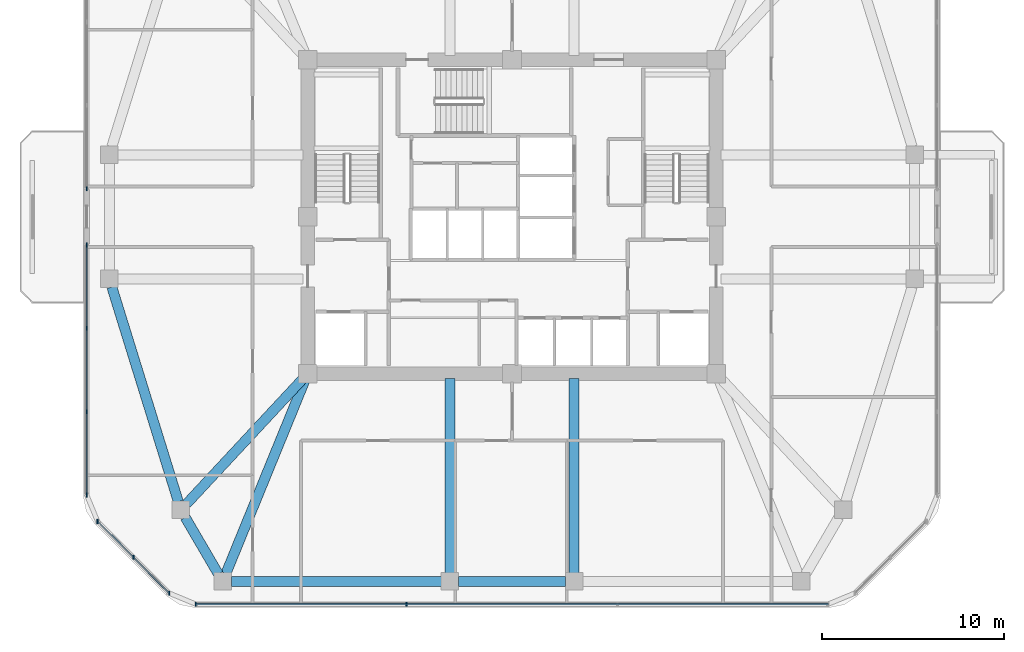
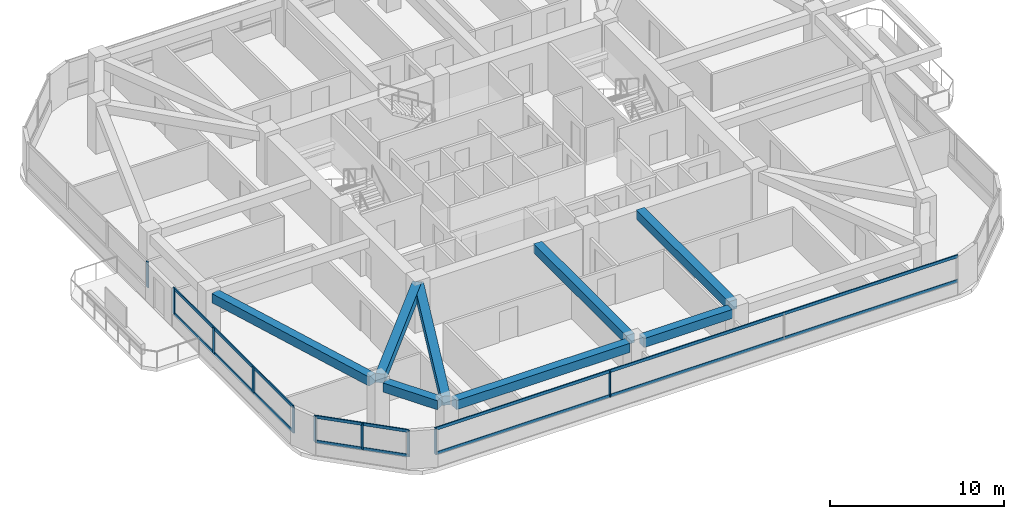
# One storey, part 2 of 13: 16 members, 8 beams, 4 elements without a shape of their own.
"""IFC4 building model written with IfcOpenShell, lengths in metres."""

import ifcopenshell
import ifcopenshell.guid

model = None  # the IFC model being written
_history = None  # IfcOwnerHistory: only IFC2X3 demands one
_inside = {}  # id of a spatial element -> (the spatial element, [elements in it])
_under = {}  # id of a project, library or spatial element -> (it, [spatial elements below it])
_declared = {}  # id of a project -> (the project, [libraries it declares])
_typed = {}  # id of a type object -> (the type object, [elements of that type])
_made_of = {}  # id of a material, layer set ... -> (it, [elements and type objects made of it])


def new_model(schema):
    """Start an empty IFC model of exactly this schema.

    Asked for "IFC4X3", IfcOpenShell would pick the latest addendum, in which some entities
    have other attributes; the version numbers below select the first issue.
    IFC2X3 requires an IfcOwnerHistory on every rooted entity: one is made here for all.
    """
    global model, _history
    if schema == "IFC4X3":
        model = ifcopenshell.file(schema_version=(4, 3, 0, 0))
    else:
        model = ifcopenshell.file(schema=schema)
    _inside.clear()
    _under.clear()
    _declared.clear()
    _typed.clear()
    _made_of.clear()
    _history = None
    if model.schema == "IFC2X3":
        org = make("IfcOrganization", Name="unknown")
        user = make(
            "IfcPersonAndOrganization",
            ThePerson=make("IfcPerson", FamilyName="unknown"),
            TheOrganization=org,
        )
        app = make(
            "IfcApplication",
            ApplicationDeveloper=org,
            Version="unknown",
            ApplicationFullName="unknown",
            ApplicationIdentifier="unknown",
        )
        _history = make(
            "IfcOwnerHistory",
            OwningUser=user,
            OwningApplication=app,
            ChangeAction="ADDED",
            CreationDate=0,
        )
    return model


def make(cls, **values):
    """One entity of the class cls with the attributes given. An attribute that is None is left unset."""
    return model.create_entity(
        cls, **{name: value for name, value in values.items() if value is not None}
    )


def rooted(cls, **values):
    """An entity with a GlobalId (a new one), such as an element, a storey or a relation."""
    return make(cls, GlobalId=ifcopenshell.guid.new(), OwnerHistory=_history, **values)


def si_unit(unit_type, name, prefix=None):
    """IfcSIUnit, for example si_unit("LENGTHUNIT", "METRE", prefix="MILLI")."""
    return make("IfcSIUnit", UnitType=unit_type, Prefix=prefix, Name=name)


def derived_unit(unit_type, elements):
    """IfcDerivedUnit: a product of units, each with its exponent."""
    return make(
        "IfcDerivedUnit",
        Elements=[
            make("IfcDerivedUnitElement", Unit=unit, Exponent=power)
            for unit, power in elements
        ],
        UnitType=unit_type,
    )


def assignment(units):
    """IfcUnitAssignment: the units of a project."""
    return None if units is None else make("IfcUnitAssignment", Units=units)


def point(xyz):
    """IfcCartesianPoint."""
    return None if xyz is None else make("IfcCartesianPoint", Coordinates=xyz)


def direction(xyz):
    """IfcDirection."""
    return None if xyz is None else make("IfcDirection", DirectionRatios=xyz)


def frame(location, z_axis=None, x_axis=None):
    """IfcAxis2Placement3D, a coordinate frame: its origin and axes. An axis left out is left unset."""
    return make(
        "IfcAxis2Placement3D",
        Location=point(location),
        Axis=direction(z_axis),
        RefDirection=direction(x_axis),
    )


def frame_2d(location, x_axis=None):
    """IfcAxis2Placement2D, a coordinate frame in the plane: its origin and x axis."""
    return make(
        "IfcAxis2Placement2D", Location=point(location), RefDirection=direction(x_axis)
    )


def origin():
    """The frame at (0, 0, 0) with its axes left unset."""
    return frame((0.0, 0.0, 0.0))


def origin_2d():
    """The frame at (0, 0) in the plane with its x axis left unset."""
    return frame_2d((0.0, 0.0))


def place(relative_to, where):
    """IfcLocalPlacement: puts the frame where relative to a parent placement (None: the world)."""
    return make(
        "IfcLocalPlacement", PlacementRelTo=relative_to, RelativePlacement=where
    )


def context(
    kind, dimensions, precision=None, world=None, true_north=None, identifier=None
):
    """IfcGeometricRepresentationContext, for example the 3D "Model" context."""
    return make(
        "IfcGeometricRepresentationContext",
        ContextIdentifier=identifier,
        ContextType=kind,
        CoordinateSpaceDimension=dimensions,
        Precision=precision,
        WorldCoordinateSystem=world,
        TrueNorth=true_north,
    )


def subcontext(parent, identifier, kind, view, scale=None):
    """IfcGeometricRepresentationSubContext, for example "Body" below "Model"."""
    return make(
        "IfcGeometricRepresentationSubContext",
        ContextIdentifier=identifier,
        ContextType=kind,
        ParentContext=parent,
        TargetScale=scale,
        TargetView=view,
    )


def project(units=None, contexts=None):
    """IfcProject with its units and contexts."""
    return rooted(
        "IfcProject",
        Name="project",
        RepresentationContexts=contexts,
        UnitsInContext=assignment(units),
    )


def spatial(cls, under=None, at=None, **own):
    """A site, building, storey or space (cls), placed at a placement, below another one or the project."""
    s = rooted(cls, ObjectPlacement=at, **own)
    if under is not None:
        _under.setdefault(under.id(), (under, []))[1].append(s)
    return s


def profile(cls, at=None, kind="AREA", **sizes):
    """A parametric profile (cls). Its sizes go by their IFC names, for example OverallWidth=200.0."""
    return make(cls, ProfileType=kind, Position=at, **sizes)


def rectangle(**sizes):
    """IfcRectangleProfileDef."""
    return profile("IfcRectangleProfileDef", **sizes)


def extrude(swept, where, along, depth):
    """IfcExtrudedAreaSolid: the profile swept, set in the frame where, extruded along a direction by depth."""
    return make(
        "IfcExtrudedAreaSolid",
        SweptArea=swept,
        Position=where,
        ExtrudedDirection=direction(along),
        Depth=depth,
    )


def shape(context_of_items, identifier, shape_type, items):
    """IfcShapeRepresentation: the items that make up one representation, for example the "Body"."""
    return make(
        "IfcShapeRepresentation",
        ContextOfItems=context_of_items,
        RepresentationIdentifier=identifier,
        RepresentationType=shape_type,
        Items=items,
    )


def material(Name=None, Category=None):
    """IfcMaterial."""
    return make("IfcMaterial", Name=Name, Category=Category)


def material_profile(
    of_material, cross_section, Name=None, Category=None, Priority=None
):
    """IfcMaterialProfile: a cross section and its material."""
    return make(
        "IfcMaterialProfile",
        Name=Name,
        Material=of_material,
        Profile=cross_section,
        Priority=Priority,
        Category=Category,
    )


def profile_set(profiles, Name=None, composite=None):
    """IfcMaterialProfileSet."""
    return make(
        "IfcMaterialProfileSet",
        Name=Name,
        MaterialProfiles=profiles,
        CompositeProfile=composite,
    )


def made_of(thing, what):
    """Note that an element or type object is made of a material, layer set ...; save() writes the relation."""
    if what is not None:
        _made_of.setdefault(what.id(), (what, []))[1].append(thing)
    return thing


def type_object(cls, material=None, **own):
    """A type object (cls), such as IfcWallType, which elements share."""
    return made_of(rooted(cls, **own), material)


def element(
    cls,
    number,
    at=None,
    inside=None,
    cuts=None,
    type_object=None,
    material=None,
    context=None,
    identifier="Body",
    shape_type=None,
    held_by="IfcProductDefinitionShape",
    body=None,
    shapes=None,
    **own,
):
    """One element of the class cls, such as IfcWall. Its Tag is "e" and its number.

    at: its placement. inside: the storey or other place that contains it. cuts: it is an
    opening in that element (IfcRelVoidsElement). A single representation is given by context,
    identifier, shape_type and body (its items); several are given by shapes. held_by: the class
    of the entity that holds the representations. save() writes the other relations.
    """
    e = rooted(cls, Tag="e%d" % number, ObjectPlacement=at, **own)
    if body is not None:
        shapes = [shape(context, identifier, shape_type, body)]
    if shapes is not None:
        e.Representation = make(held_by, Representations=shapes)
    if inside is not None:
        _inside.setdefault(inside.id(), (inside, []))[1].append(e)
    if cuts is not None:
        rooted(
            "IfcRelVoidsElement", RelatingBuildingElement=cuts, RelatedOpeningElement=e
        )
    if type_object is not None:
        _typed.setdefault(type_object.id(), (type_object, []))[1].append(e)
    return made_of(e, material)


def aggregate(whole, parts):
    """IfcRelAggregates: a whole, such as a stair, and the parts it consists of."""
    return rooted("IfcRelAggregates", RelatingObject=whole, RelatedObjects=parts)


def save(model, path):
    """Write the relations noted so far, then the file.

    IfcRelAggregates (storeys below a building ...), IfcRelContainedInSpatialStructure (elements
    in a storey), IfcRelDefinesByType, IfcRelAssociatesMaterial and IfcRelDeclares: one each for
    every whole, place, type object, material and project.
    """
    for whole, parts in _under.values():
        aggregate(whole, parts)
    for where, things in _inside.values():
        rooted(
            "IfcRelContainedInSpatialStructure",
            RelatedElements=things,
            RelatingStructure=where,
        )
    for kind, things in _typed.values():
        rooted("IfcRelDefinesByType", RelatedObjects=things, RelatingType=kind)
    for what, things in _made_of.values():
        rooted("IfcRelAssociatesMaterial", RelatedObjects=things, RelatingMaterial=what)
    for by, libraries in _declared.values():
        rooted("IfcRelDeclares", RelatingContext=by, RelatedDefinitions=libraries)
    model.write(path)


model = new_model("IFC4")

# Units and contexts
model_context = context("Model", 3, precision=1e-05, world=origin(), true_north=direction((0.0, 1.0)))
body_context = subcontext(model_context, "Body", "Model", "MODEL_VIEW")
ifc_project = project(units=[si_unit("LENGTHUNIT", "METRE"), si_unit("AREAUNIT", "SQUARE_METRE"), si_unit("VOLUMEUNIT", "CUBIC_METRE"), si_unit("PLANEANGLEUNIT", "RADIAN"), si_unit("MASSUNIT", "GRAM", prefix="KILO"), derived_unit("THERMALTRANSMITTANCEUNIT", [(si_unit("POWERUNIT", "WATT"), 1), (si_unit("LENGTHUNIT", "METRE"), -2), (si_unit("THERMODYNAMICTEMPERATUREUNIT", "KELVIN"), -1)])], contexts=[model_context])

# Site, building, storey
site_placement = place(None, origin())
site = spatial("IfcSite", under=ifc_project, at=site_placement, CompositionType="ELEMENT")
building_placement = place(site_placement, origin())
building = spatial("IfcBuilding", under=site, at=building_placement, Name="Koralith Skygarden Medical Center", CompositionType="ELEMENT")
storey_placement = place(building_placement, frame((0.0, 0.0, 156.419921875)))
storey = spatial("IfcBuildingStorey", under=building, at=storey_placement, Name="L40", CompositionType="ELEMENT", Elevation=156.419921875)

# Curtain wall, members
ifc_material_1 = material(Name="Clear Laminated Glass", Category="glass")
curtain_wall_type = type_object("IfcCurtainWallType", Name="CW-4 Zone 3 Waist High-Wind Curtain Wall", PredefinedType="NOTDEFINED", material=ifc_material_1)
curtain_wall_1_placement = place(storey_placement, origin())
curtain_wall_1 = element("IfcCurtainWall", 1, at=curtain_wall_1_placement, inside=storey, type_object=curtain_wall_type, Name="Curtain Wall CW-L40-S", PredefinedType="NOTDEFINED")
ifc_material_2 = material(Name="Aluminium 6063-T6", Category="aluminium")
ifc_material_profile_1 = material_profile(ifc_material_2, rectangle(XDim=0.076904296875, YDim=0.22998046875, at=origin_2d()), Name="MUL77X230")
ifc_profile_set_1 = profile_set([ifc_material_profile_1], Name="Aluminium 6063-T6")
member_type_1 = type_object("IfcMemberType", Name="CW-4 Extruded Mullion 77x230", PredefinedType="MULLION", material=ifc_profile_set_1)
member_1_placement = place(storey_placement, frame((19.6708984375, 4.679931640625, 0.85009765625), z_axis=(0.0, 0.0, 1.0), x_axis=(1.0, 0.0, 0.0)))
member_1 = element("IfcMember", 2, at=member_1_placement, type_object=member_type_1, Name="CW-L40-S Mullion 1", PredefinedType="MULLION", context=body_context, shape_type="SweptSolid", body=[
    extrude(rectangle(XDim=0.076904296875, YDim=0.22998046875, at=origin_2d()), origin(), (0.0, 0.0, 1.0), 1.820068359375),
])
member_2_placement = place(storey_placement, frame((31.22412109375, 4.679931640625, 0.85009765625), z_axis=(0.0, 0.0, 1.0), x_axis=(1.0, 0.0, 0.0)))
member_2 = element("IfcMember", 3, at=member_2_placement, type_object=member_type_1, Name="CW-L40-S Mullion 2", PredefinedType="MULLION", context=body_context, shape_type="SweptSolid", body=[
    extrude(rectangle(XDim=0.076904296875, YDim=0.22998046875, at=origin_2d()), origin(), (0.0, 0.0, 1.0), 1.820068359375),
])

# Curtain wall, member
curtain_wall_2_placement = place(storey_placement, origin())
curtain_wall_2 = element("IfcCurtainWall", 4, at=curtain_wall_2_placement, inside=storey, type_object=curtain_wall_type, Name="Curtain Wall CW-L40-W-L", PredefinedType="NOTDEFINED")
member_3_placement = place(storey_placement, frame((13.696044921875, 27.43994140625, 0.85009765625), z_axis=(0.0, 0.0, 1.0), x_axis=(1.0, 0.0, 0.0)))
member_3 = element("IfcMember", 5, at=member_3_placement, type_object=member_type_1, Name="CW-L40-W-L Mullion 4", PredefinedType="MULLION", context=body_context, shape_type="SweptSolid", body=[
    extrude(rectangle(XDim=0.076904296875, YDim=0.22998046875, at=origin_2d()), origin(), (0.0, 0.0, 1.0), 1.820068359375),
])
aggregate(curtain_wall_2, [member_3])

# Curtain wall, members
curtain_wall_3_placement = place(storey_placement, origin())
curtain_wall_3 = element("IfcCurtainWall", 6, at=curtain_wall_3_placement, inside=storey, type_object=curtain_wall_type, Name="Curtain Wall CW-L40-W-R", PredefinedType="NOTDEFINED")
member_4_placement = place(storey_placement, frame((13.696044921875, 24.360107421875, 0.85009765625), z_axis=(0.0, 0.0, 1.0), x_axis=(1.0, 0.0, 0.0)))
member_4 = element("IfcMember", 7, at=member_4_placement, type_object=member_type_1, Name="CW-L40-W-R Mullion 1", PredefinedType="MULLION", context=body_context, shape_type="SweptSolid", body=[
    extrude(rectangle(XDim=0.076904296875, YDim=0.22998046875, at=origin_2d()), origin(), (0.0, 0.0, 1.0), 1.820068359375),
])
member_5_placement = place(storey_placement, frame((13.696044921875, 19.7919921875, 0.85009765625), z_axis=(0.0, 0.0, 1.0), x_axis=(1.0, 0.0, 0.0)))
member_5 = element("IfcMember", 8, at=member_5_placement, type_object=member_type_1, Name="CW-L40-W-R Mullion 2", PredefinedType="MULLION", context=body_context, shape_type="SweptSolid", body=[
    extrude(rectangle(XDim=0.076904296875, YDim=0.22998046875, at=origin_2d()), origin(), (0.0, 0.0, 1.0), 1.820068359375),
])
member_6_placement = place(storey_placement, frame((13.696044921875, 15.222900390625, 0.85009765625), z_axis=(0.0, 0.0, 1.0), x_axis=(1.0, 0.0, 0.0)))
member_6 = element("IfcMember", 9, at=member_6_placement, type_object=member_type_1, Name="CW-L40-W-R Mullion 3", PredefinedType="MULLION", context=body_context, shape_type="SweptSolid", body=[
    extrude(rectangle(XDim=0.076904296875, YDim=0.22998046875, at=origin_2d()), origin(), (0.0, 0.0, 1.0), 1.820068359375),
])
member_7_placement = place(storey_placement, frame((13.696044921875, 10.655029296875, 0.85009765625), z_axis=(0.0, 0.0, 1.0), x_axis=(1.0, 0.0, 0.0)))
member_7 = element("IfcMember", 10, at=member_7_placement, type_object=member_type_1, Name="CW-L40-W-R Mullion 4", PredefinedType="MULLION", context=body_context, shape_type="SweptSolid", body=[
    extrude(rectangle(XDim=0.076904296875, YDim=0.22998046875, at=origin_2d()), origin(), (0.0, 0.0, 1.0), 1.820068359375),
])

curtain_wall_4_placement = place(storey_placement, origin())
curtain_wall_4 = element("IfcCurtainWall", 11, at=curtain_wall_4_placement, inside=storey, type_object=curtain_wall_type, Name="Curtain Wall CW-L40-SW", PredefinedType="NOTDEFINED")
member_8_placement = place(storey_placement, frame((14.297119140625, 9.2041015625, 0.85009765625), z_axis=(0.0, 0.0, 1.0), x_axis=(1.0, 0.0, 0.0)))
member_8 = element("IfcMember", 12, at=member_8_placement, type_object=member_type_1, Name="CW-L40-SW Mullion 1", PredefinedType="MULLION", context=body_context, shape_type="SweptSolid", body=[
    extrude(rectangle(XDim=0.076904296875, YDim=0.22998046875, at=origin_2d()), origin(), (0.0, 0.0, 1.0), 1.820068359375),
])
member_9_placement = place(storey_placement, frame((16.258056640625, 7.241943359375, 0.85009765625), z_axis=(0.0, 0.0, 1.0), x_axis=(1.0, 0.0, 0.0)))
member_9 = element("IfcMember", 13, at=member_9_placement, type_object=member_type_1, Name="CW-L40-SW Mullion 2", PredefinedType="MULLION", context=body_context, shape_type="SweptSolid", body=[
    extrude(rectangle(XDim=0.076904296875, YDim=0.22998046875, at=origin_2d()), origin(), (0.0, 0.0, 1.0), 1.820068359375),
])
member_10_placement = place(storey_placement, frame((18.219970703125, 5.281005859375, 0.85009765625), z_axis=(0.0, 0.0, 1.0), x_axis=(1.0, 0.0, 0.0)))
member_10 = element("IfcMember", 14, at=member_10_placement, type_object=member_type_1, Name="CW-L40-SW Mullion 3", PredefinedType="MULLION", context=body_context, shape_type="SweptSolid", body=[
    extrude(rectangle(XDim=0.076904296875, YDim=0.22998046875, at=origin_2d()), origin(), (0.0, 0.0, 1.0), 1.820068359375),
])

# Member
ifc_material_profile_2 = material_profile(ifc_material_2, rectangle(XDim=0.072021484375, YDim=0.20703125, at=origin_2d()), Name="TRN72X207")
ifc_profile_set_2 = profile_set([ifc_material_profile_2], Name="Aluminium 6063-T6")
member_type_2 = type_object("IfcMemberType", Name="CW-4 Thermal Transom 72x207", PredefinedType="USERDEFINED", material=ifc_profile_set_2)
member_11_placement = place(storey_placement, frame((19.6708984375, 4.679931640625, 0.900146484375), z_axis=(1.0, 0.0, 0.0), x_axis=(0.0, 1.0, 0.0)))
member_11 = element("IfcMember", 15, at=member_11_placement, type_object=member_type_2, Name="CW-L40-S Transom 1", ObjectType="TRANSOM", PredefinedType="USERDEFINED", context=body_context, shape_type="SweptSolid", body=[
    extrude(rectangle(XDim=0.072021484375, YDim=0.20703125, at=origin_2d()), origin(), (0.0, 0.0, 1.0), 34.658203125),
])

member_12_placement = place(storey_placement, frame((19.6708984375, 4.679931640625, 2.6201171875), z_axis=(1.0, 0.0, 0.0), x_axis=(0.0, 1.0, 0.0)))
member_12 = element("IfcMember", 16, at=member_12_placement, type_object=member_type_2, Name="CW-L40-S Transom 2", ObjectType="TRANSOM", PredefinedType="USERDEFINED", context=body_context, shape_type="SweptSolid", body=[
    extrude(rectangle(XDim=0.072021484375, YDim=0.20703125, at=origin_2d()), origin(), (0.0, 0.0, 1.0), 34.658203125),
])

aggregate(curtain_wall_1, [member_1, member_2, member_11, member_12])

member_13_placement = place(storey_placement, frame((13.696044921875, 24.360107421875, 0.900146484375), z_axis=(0.0, -1.0, 0.0), x_axis=(1.0, 0.0, 0.0)))
member_13 = element("IfcMember", 17, at=member_13_placement, type_object=member_type_2, Name="CW-L40-W-R Transom 1", ObjectType="TRANSOM", PredefinedType="USERDEFINED", context=body_context, shape_type="SweptSolid", body=[
    extrude(rectangle(XDim=0.072021484375, YDim=0.20703125, at=origin_2d()), origin(), (0.0, 0.0, 1.0), 13.705078125),
])

member_14_placement = place(storey_placement, frame((13.696044921875, 24.360107421875, 2.6201171875), z_axis=(0.0, -1.0, 0.0), x_axis=(1.0, 0.0, 0.0)))
member_14 = element("IfcMember", 18, at=member_14_placement, type_object=member_type_2, Name="CW-L40-W-R Transom 2", ObjectType="TRANSOM", PredefinedType="USERDEFINED", context=body_context, shape_type="SweptSolid", body=[
    extrude(rectangle(XDim=0.072021484375, YDim=0.20703125, at=origin_2d()), origin(), (0.0, 0.0, 1.0), 13.705078125),
])

aggregate(curtain_wall_3, [member_4, member_5, member_6, member_7, member_13, member_14])

member_15_placement = place(storey_placement, frame((14.297119140625, 9.2041015625, 0.900146484375), z_axis=(0.707084777957, -0.707128783731, 0.0), x_axis=(0.707128783731, 0.707084777957, 0.0)))
member_15 = element("IfcMember", 19, at=member_15_placement, type_object=member_type_2, Name="CW-L40-SW Transom 1", ObjectType="TRANSOM", PredefinedType="USERDEFINED", context=body_context, shape_type="SweptSolid", body=[
    extrude(rectangle(XDim=0.072021484375, YDim=0.20703125, at=origin_2d()), origin(), (0.0, 0.0, 1.0), 5.5478515625),
])

member_16_placement = place(storey_placement, frame((14.297119140625, 9.2041015625, 2.6201171875), z_axis=(0.707084777957, -0.707128783731, 0.0), x_axis=(0.707128783731, 0.707084777957, 0.0)))
member_16 = element("IfcMember", 20, at=member_16_placement, type_object=member_type_2, Name="CW-L40-SW Transom 2", ObjectType="TRANSOM", PredefinedType="USERDEFINED", context=body_context, shape_type="SweptSolid", body=[
    extrude(rectangle(XDim=0.072021484375, YDim=0.20703125, at=origin_2d()), origin(), (0.0, 0.0, 1.0), 5.5478515625),
])

aggregate(curtain_wall_4, [member_8, member_9, member_10, member_15, member_16])

# Beams
ifc_material_3 = material(Name="Concrete C45/55", Category="concrete")
ifc_material_profile_3 = material_profile(ifc_material_3, rectangle(XDim=0.550048828125, YDim=0.639892578125, at=origin_2d()), Name="RCB550X640")
ifc_profile_set_3 = profile_set([ifc_material_profile_3], Name="Concrete C45/55")
beam_type_1 = type_object("IfcBeamType", Name="Radial Collector Beam RCB550X640", PredefinedType="BEAM", material=ifc_profile_set_3)
beam_1_placement = place(storey_placement, frame((25.6298828125, 17.116943359375, 3.0), z_axis=(-0.681369011591, -0.731940072713, 0.0), x_axis=(0.731940072713, -0.681369011591, 0.0)))
element("IfcBeam", 21, at=beam_1_placement, inside=storey, type_object=beam_type_1, Name="L40 Radial Collector Beam RB-02", PredefinedType="BEAM", context=body_context, shape_type="SweptSolid", body=[
    extrude(rectangle(XDim=0.550048828125, YDim=0.639892578125, at=origin_2d()), origin(), (0.0, 0.0, 1.0), 9.471923828125),
])
beam_2_placement = place(storey_placement, frame((25.705078125, 17.069091796875, 3.0), z_axis=(-0.378344544364, -0.92566484526, 0.0), x_axis=(0.92566484526, -0.378344544364, 0.0)))
element("IfcBeam", 22, at=beam_2_placement, inside=storey, type_object=beam_type_1, Name="L40 Radial Collector Beam RB-03", PredefinedType="BEAM", context=body_context, shape_type="SweptSolid", body=[
    extrude(rectangle(XDim=0.550048828125, YDim=0.639892578125, at=origin_2d()), origin(), (0.0, 0.0, 1.0), 11.574462890625),
])
for number, where, z_axis, x_axis, name in (
    (23, (33.60009765625, 17.050048828125, 3.0), (0.0, -1.0, 0.0), (1.0, 0.0, 0.0), "L40 Radial Collector Beam RB-04"),
    (24, (40.39990234375, 17.050048828125, 3.0), (0.0, -1.0, 0.0), (1.0, 0.0, 0.0), "L40 Radial Collector Beam RB-05"),
):
    element("IfcBeam", number, at=place(storey_placement, frame(where, z_axis=z_axis, x_axis=x_axis)), inside=storey, type_object=beam_type_1, Name=name, PredefinedType="BEAM", context=body_context, shape_type="SweptSolid", body=[
        extrude(rectangle(XDim=0.550048828125, YDim=0.639892578125, at=origin_2d()), origin(), (0.0, 0.0, 1.0), 10.66015625),
    ])
ifc_material_profile_4 = material_profile(ifc_material_3, rectangle(XDim=0.550048828125, YDim=0.639892578125, at=origin_2d()), Name="RCB550X640")
ifc_profile_set_4 = profile_set([ifc_material_profile_4], Name="Concrete C45/55")
beam_type_2 = type_object("IfcBeamType", Name="Zone 2-3 Spandrel Beam RCB550X640", PredefinedType="SPANDREL", material=ifc_profile_set_4)
beam_3_placement = place(storey_placement, frame((15.074951171875, 22.051025390625, 3.0), z_axis=(0.295793585147, -0.955251880389, 0.0), x_axis=(0.955251880389, 0.295793585147, 0.0)))
element("IfcBeam", 25, at=beam_3_placement, inside=storey, type_object=beam_type_2, Name="L40 Perimeter Spandrel Beam SP-01", PredefinedType="SPANDREL", context=body_context, shape_type="SweptSolid", body=[
    extrude(rectangle(XDim=0.550048828125, YDim=0.639892578125, at=origin_2d()), origin(), (0.0, 0.0, 1.0), 12.31298828125),
])
beam_4_placement = place(storey_placement, frame((19.093017578125, 9.43408203125, 3.0), z_axis=(0.504861391295, -0.863200426077, 0.0), x_axis=(0.863200426077, 0.504861391295, 0.0)))
element("IfcBeam", 26, at=beam_4_placement, inside=storey, type_object=beam_type_2, Name="L40 Perimeter Spandrel Beam SP-02", PredefinedType="SPANDREL", context=body_context, shape_type="SweptSolid", body=[
    extrude(rectangle(XDim=0.550048828125, YDim=0.639892578125, at=origin_2d()), origin(), (0.0, 0.0, 1.0), 3.600830078125),
])
beam_5_placement = place(storey_placement, frame((21.617919921875, 5.919921875, 3.0), z_axis=(1.0, 0.0, 0.0), x_axis=(0.0, 1.0, 0.0)))
element("IfcBeam", 27, at=beam_5_placement, inside=storey, type_object=beam_type_2, Name="L40 Perimeter Spandrel Beam SP-03", PredefinedType="SPANDREL", context=body_context, shape_type="SweptSolid", body=[
    extrude(rectangle(XDim=0.550048828125, YDim=0.639892578125, at=origin_2d()), origin(), (0.0, 0.0, 1.0), 11.511962890625),
])
beam_6_placement = place(storey_placement, frame((34.070068359375, 5.919921875, 3.0), z_axis=(1.0, 0.0, 0.0), x_axis=(0.0, 1.0, 0.0)))
element("IfcBeam", 28, at=beam_6_placement, inside=storey, type_object=beam_type_2, Name="L40 Perimeter Spandrel Beam SP-04", PredefinedType="SPANDREL", context=body_context, shape_type="SweptSolid", body=[
    extrude(rectangle(XDim=0.550048828125, YDim=0.639892578125, at=origin_2d()), origin(), (0.0, 0.0, 1.0), 5.85986328125),
])

save(model, "model.ifc")
